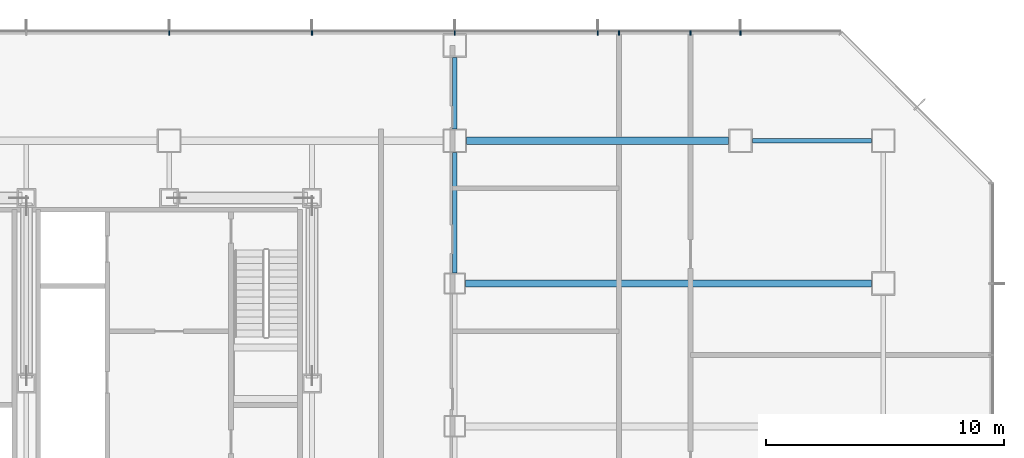
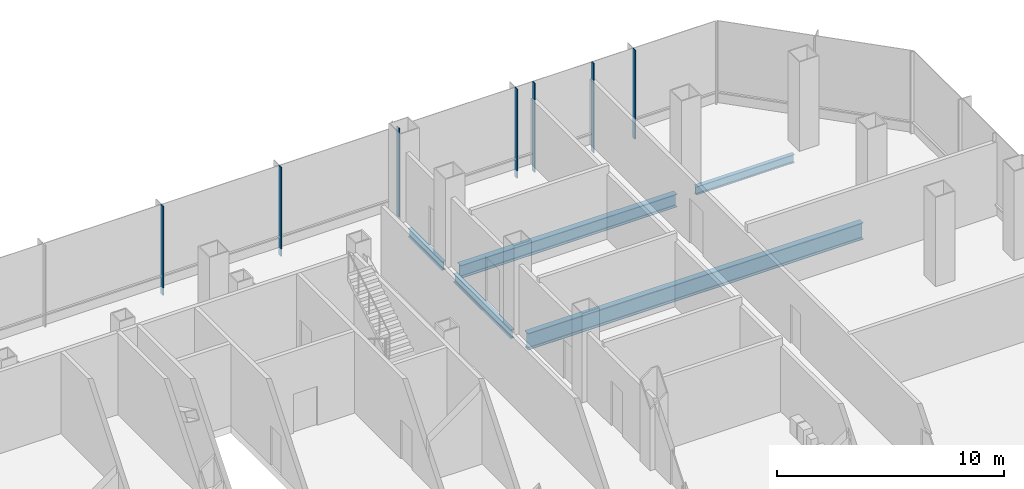
# One storey, part 16 of 33: 7 members, 5 beams, 1 element without a shape of its own.
"""IFC4 building model written with IfcOpenShell, lengths in metres."""

import ifcopenshell
import ifcopenshell.guid

model = None  # the IFC model being written
_history = None  # IfcOwnerHistory: only IFC2X3 demands one
_inside = {}  # id of a spatial element -> (the spatial element, [elements in it])
_under = {}  # id of a project, library or spatial element -> (it, [spatial elements below it])
_declared = {}  # id of a project -> (the project, [libraries it declares])
_typed = {}  # id of a type object -> (the type object, [elements of that type])
_made_of = {}  # id of a material, layer set ... -> (it, [elements and type objects made of it])


def new_model(schema):
    """Start an empty IFC model of exactly this schema.

    Asked for "IFC4X3", IfcOpenShell would pick the latest addendum, in which some entities
    have other attributes; the version numbers below select the first issue.
    IFC2X3 requires an IfcOwnerHistory on every rooted entity: one is made here for all.
    """
    global model, _history
    if schema == "IFC4X3":
        model = ifcopenshell.file(schema_version=(4, 3, 0, 0))
    else:
        model = ifcopenshell.file(schema=schema)
    _inside.clear()
    _under.clear()
    _declared.clear()
    _typed.clear()
    _made_of.clear()
    _history = None
    if model.schema == "IFC2X3":
        org = make("IfcOrganization", Name="unknown")
        user = make(
            "IfcPersonAndOrganization",
            ThePerson=make("IfcPerson", FamilyName="unknown"),
            TheOrganization=org,
        )
        app = make(
            "IfcApplication",
            ApplicationDeveloper=org,
            Version="unknown",
            ApplicationFullName="unknown",
            ApplicationIdentifier="unknown",
        )
        _history = make(
            "IfcOwnerHistory",
            OwningUser=user,
            OwningApplication=app,
            ChangeAction="ADDED",
            CreationDate=0,
        )
    return model


def make(cls, **values):
    """One entity of the class cls with the attributes given. An attribute that is None is left unset."""
    return model.create_entity(
        cls, **{name: value for name, value in values.items() if value is not None}
    )


def rooted(cls, **values):
    """An entity with a GlobalId (a new one), such as an element, a storey or a relation."""
    return make(cls, GlobalId=ifcopenshell.guid.new(), OwnerHistory=_history, **values)


def si_unit(unit_type, name, prefix=None):
    """IfcSIUnit, for example si_unit("LENGTHUNIT", "METRE", prefix="MILLI")."""
    return make("IfcSIUnit", UnitType=unit_type, Prefix=prefix, Name=name)


def assignment(units):
    """IfcUnitAssignment: the units of a project."""
    return None if units is None else make("IfcUnitAssignment", Units=units)


def point(xyz):
    """IfcCartesianPoint."""
    return None if xyz is None else make("IfcCartesianPoint", Coordinates=xyz)


def direction(xyz):
    """IfcDirection."""
    return None if xyz is None else make("IfcDirection", DirectionRatios=xyz)


def frame(location, z_axis=None, x_axis=None):
    """IfcAxis2Placement3D, a coordinate frame: its origin and axes. An axis left out is left unset."""
    return make(
        "IfcAxis2Placement3D",
        Location=point(location),
        Axis=direction(z_axis),
        RefDirection=direction(x_axis),
    )


def frame_2d(location, x_axis=None):
    """IfcAxis2Placement2D, a coordinate frame in the plane: its origin and x axis."""
    return make(
        "IfcAxis2Placement2D", Location=point(location), RefDirection=direction(x_axis)
    )


def origin():
    """The frame at (0, 0, 0) with its axes left unset."""
    return frame((0.0, 0.0, 0.0))


def origin_2d():
    """The frame at (0, 0) in the plane with its x axis left unset."""
    return frame_2d((0.0, 0.0))


def place(relative_to, where):
    """IfcLocalPlacement: puts the frame where relative to a parent placement (None: the world)."""
    return make(
        "IfcLocalPlacement", PlacementRelTo=relative_to, RelativePlacement=where
    )


def context(
    kind, dimensions, precision=None, world=None, true_north=None, identifier=None
):
    """IfcGeometricRepresentationContext, for example the 3D "Model" context."""
    return make(
        "IfcGeometricRepresentationContext",
        ContextIdentifier=identifier,
        ContextType=kind,
        CoordinateSpaceDimension=dimensions,
        Precision=precision,
        WorldCoordinateSystem=world,
        TrueNorth=true_north,
    )


def subcontext(parent, identifier, kind, view, scale=None):
    """IfcGeometricRepresentationSubContext, for example "Body" below "Model"."""
    return make(
        "IfcGeometricRepresentationSubContext",
        ContextIdentifier=identifier,
        ContextType=kind,
        ParentContext=parent,
        TargetScale=scale,
        TargetView=view,
    )


def project(units=None, contexts=None):
    """IfcProject with its units and contexts."""
    return rooted(
        "IfcProject",
        Name="project",
        RepresentationContexts=contexts,
        UnitsInContext=assignment(units),
    )


def spatial(cls, under=None, at=None, **own):
    """A site, building, storey or space (cls), placed at a placement, below another one or the project."""
    s = rooted(cls, ObjectPlacement=at, **own)
    if under is not None:
        _under.setdefault(under.id(), (under, []))[1].append(s)
    return s


def profile(cls, at=None, kind="AREA", **sizes):
    """A parametric profile (cls). Its sizes go by their IFC names, for example OverallWidth=200.0."""
    return make(cls, ProfileType=kind, Position=at, **sizes)


def rectangle(**sizes):
    """IfcRectangleProfileDef."""
    return profile("IfcRectangleProfileDef", **sizes)


def i_section(**sizes):
    """IfcIShapeProfileDef."""
    return profile("IfcIShapeProfileDef", **sizes)


def extrude(swept, where, along, depth):
    """IfcExtrudedAreaSolid: the profile swept, set in the frame where, extruded along a direction by depth."""
    return make(
        "IfcExtrudedAreaSolid",
        SweptArea=swept,
        Position=where,
        ExtrudedDirection=direction(along),
        Depth=depth,
    )


def shape(context_of_items, identifier, shape_type, items):
    """IfcShapeRepresentation: the items that make up one representation, for example the "Body"."""
    return make(
        "IfcShapeRepresentation",
        ContextOfItems=context_of_items,
        RepresentationIdentifier=identifier,
        RepresentationType=shape_type,
        Items=items,
    )


def material(Name=None, Category=None):
    """IfcMaterial."""
    return make("IfcMaterial", Name=Name, Category=Category)


def material_profile(
    of_material, cross_section, Name=None, Category=None, Priority=None
):
    """IfcMaterialProfile: a cross section and its material."""
    return make(
        "IfcMaterialProfile",
        Name=Name,
        Material=of_material,
        Profile=cross_section,
        Priority=Priority,
        Category=Category,
    )


def profile_set(profiles, Name=None, composite=None):
    """IfcMaterialProfileSet."""
    return make(
        "IfcMaterialProfileSet",
        Name=Name,
        MaterialProfiles=profiles,
        CompositeProfile=composite,
    )


def made_of(thing, what):
    """Note that an element or type object is made of a material, layer set ...; save() writes the relation."""
    if what is not None:
        _made_of.setdefault(what.id(), (what, []))[1].append(thing)
    return thing


def type_object(cls, material=None, **own):
    """A type object (cls), such as IfcWallType, which elements share."""
    return made_of(rooted(cls, **own), material)


def element(
    cls,
    number,
    at=None,
    inside=None,
    cuts=None,
    type_object=None,
    material=None,
    context=None,
    identifier="Body",
    shape_type=None,
    held_by="IfcProductDefinitionShape",
    body=None,
    shapes=None,
    **own,
):
    """One element of the class cls, such as IfcWall. Its Tag is "e" and its number.

    at: its placement. inside: the storey or other place that contains it. cuts: it is an
    opening in that element (IfcRelVoidsElement). A single representation is given by context,
    identifier, shape_type and body (its items); several are given by shapes. held_by: the class
    of the entity that holds the representations. save() writes the other relations.
    """
    e = rooted(cls, Tag="e%d" % number, ObjectPlacement=at, **own)
    if body is not None:
        shapes = [shape(context, identifier, shape_type, body)]
    if shapes is not None:
        e.Representation = make(held_by, Representations=shapes)
    if inside is not None:
        _inside.setdefault(inside.id(), (inside, []))[1].append(e)
    if cuts is not None:
        rooted(
            "IfcRelVoidsElement", RelatingBuildingElement=cuts, RelatedOpeningElement=e
        )
    if type_object is not None:
        _typed.setdefault(type_object.id(), (type_object, []))[1].append(e)
    return made_of(e, material)


def aggregate(whole, parts):
    """IfcRelAggregates: a whole, such as a stair, and the parts it consists of."""
    return rooted("IfcRelAggregates", RelatingObject=whole, RelatedObjects=parts)


def save(model, path):
    """Write the relations noted so far, then the file.

    IfcRelAggregates (storeys below a building ...), IfcRelContainedInSpatialStructure (elements
    in a storey), IfcRelDefinesByType, IfcRelAssociatesMaterial and IfcRelDeclares: one each for
    every whole, place, type object, material and project.
    """
    for whole, parts in _under.values():
        aggregate(whole, parts)
    for where, things in _inside.values():
        rooted(
            "IfcRelContainedInSpatialStructure",
            RelatedElements=things,
            RelatingStructure=where,
        )
    for kind, things in _typed.values():
        rooted("IfcRelDefinesByType", RelatedObjects=things, RelatingType=kind)
    for what, things in _made_of.values():
        rooted("IfcRelAssociatesMaterial", RelatedObjects=things, RelatingMaterial=what)
    for by, libraries in _declared.values():
        rooted("IfcRelDeclares", RelatingContext=by, RelatedDefinitions=libraries)
    model.write(path)


model = new_model("IFC4")

# Units and contexts
model_context = context("Model", 3, precision=1e-05, world=origin(), true_north=direction((0.0, 1.0)))
body_context = subcontext(model_context, "Body", "Model", "MODEL_VIEW")
ifc_project = project(units=[si_unit("LENGTHUNIT", "METRE"), si_unit("AREAUNIT", "SQUARE_METRE"), si_unit("VOLUMEUNIT", "CUBIC_METRE"), si_unit("PLANEANGLEUNIT", "RADIAN"), si_unit("MASSUNIT", "GRAM", prefix="KILO")], contexts=[model_context])

# Site, building, storey
site_placement = place(None, origin())
site = spatial("IfcSite", under=ifc_project, at=site_placement, CompositionType="ELEMENT")
building_placement = place(site_placement, origin())
building = spatial("IfcBuilding", under=site, at=building_placement, Name="Sorahane Residences", CompositionType="ELEMENT")
storey_placement = place(building_placement, frame((0.0, 0.0, 25.199951171875)))
storey = spatial("IfcBuildingStorey", under=building, at=storey_placement, Name="L03", CompositionType="ELEMENT", Elevation=25.199951171875)

# Curtain wall, members
ifc_material_1 = material(Name="Dark low-e glass and black anodised aluminium", Category="aluminium")
curtain_wall_type = type_object("IfcCurtainWallType", Name="Curtain wall CW-3 Podium unitised wall", PredefinedType="NOTDEFINED", material=ifc_material_1)
curtain_wall_placement = place(storey_placement, origin())
curtain_wall = element("IfcCurtainWall", 1, at=curtain_wall_placement, inside=storey, type_object=curtain_wall_type, Name="CW-3 curtain wall L03 N1", PredefinedType="NOTDEFINED")
ifc_material_2 = material(Name="Black anodised aluminium", Category="aluminium")
ifc_material_profile_1 = material_profile(ifc_material_2, rectangle(XDim=0.199951171875, YDim=0.050048828125, at=origin_2d()), Name="Curtain wall mullion CW-3 black anodised aluminium 50x200")
ifc_profile_set_1 = profile_set([ifc_material_profile_1], Name="Black anodised aluminium")
member_type = type_object("IfcMemberType", Name="Curtain wall mullion CW-3 black anodised aluminium 50x200", PredefinedType="MULLION", material=ifc_profile_set_1)
member_1_placement = place(storey_placement, frame((60.0, 52.52001953125, -0.39990234375), z_axis=(0.0, 0.0, 1.0), x_axis=(0.0, 1.0, 0.0)))
member_1 = element("IfcMember", 2, at=member_1_placement, type_object=member_type, Name="CW-3 mullion L03 N1.2", PredefinedType="MULLION", context=body_context, shape_type="SweptSolid", body=[
    extrude(rectangle(XDim=0.199951171875, YDim=0.050048828125, at=origin_2d()), origin(), (0.0, 0.0, 1.0), 4.800048828125),
])
member_2_placement = place(storey_placement, frame((57.89990234375, 52.52001953125, -0.39990234375), z_axis=(0.0, 0.0, 1.0), x_axis=(0.0, 1.0, 0.0)))
member_2 = element("IfcMember", 3, at=member_2_placement, type_object=member_type, Name="CW-3 mullion L03 N1.3", PredefinedType="MULLION", context=body_context, shape_type="SweptSolid", body=[
    extrude(rectangle(XDim=0.199951171875, YDim=0.050048828125, at=origin_2d()), origin(), (0.0, 0.0, 1.0), 4.800048828125),
])
member_3_placement = place(storey_placement, frame((54.89990234375, 52.52001953125, -0.39990234375), z_axis=(0.0, 0.0, 1.0), x_axis=(0.0, 1.0, 0.0)))
member_3 = element("IfcMember", 4, at=member_3_placement, type_object=member_type, Name="CW-3 mullion L03 N1.4", PredefinedType="MULLION", context=body_context, shape_type="SweptSolid", body=[
    extrude(rectangle(XDim=0.199951171875, YDim=0.050048828125, at=origin_2d()), origin(), (0.0, 0.0, 1.0), 4.800048828125),
])
member_4_placement = place(storey_placement, frame((54.0, 52.52001953125, -0.39990234375), z_axis=(0.0, 0.0, 1.0), x_axis=(0.0, 1.0, 0.0)))
member_4 = element("IfcMember", 5, at=member_4_placement, type_object=member_type, Name="CW-3 mullion L03 N1.5", PredefinedType="MULLION", context=body_context, shape_type="SweptSolid", body=[
    extrude(rectangle(XDim=0.199951171875, YDim=0.050048828125, at=origin_2d()), origin(), (0.0, 0.0, 1.0), 4.800048828125),
])
member_5_placement = place(storey_placement, frame((48.0, 52.52001953125, -0.39990234375), z_axis=(0.0, 0.0, 1.0), x_axis=(0.0, 1.0, 0.0)))
member_5 = element("IfcMember", 6, at=member_5_placement, type_object=member_type, Name="CW-3 mullion L03 N1.6", PredefinedType="MULLION", context=body_context, shape_type="SweptSolid", body=[
    extrude(rectangle(XDim=0.199951171875, YDim=0.050048828125, at=origin_2d()), origin(), (0.0, 0.0, 1.0), 4.800048828125),
])
member_6_placement = place(storey_placement, frame((42.0, 52.52001953125, -0.39990234375), z_axis=(0.0, 0.0, 1.0), x_axis=(0.0, 1.0, 0.0)))
member_6 = element("IfcMember", 7, at=member_6_placement, type_object=member_type, Name="CW-3 mullion L03 N1.7", PredefinedType="MULLION", context=body_context, shape_type="SweptSolid", body=[
    extrude(rectangle(XDim=0.199951171875, YDim=0.050048828125, at=origin_2d()), origin(), (0.0, 0.0, 1.0), 4.800048828125),
])
member_7_placement = place(storey_placement, frame((36.0, 52.52001953125, -0.39990234375), z_axis=(0.0, 0.0, 1.0), x_axis=(0.0, 1.0, 0.0)))
member_7 = element("IfcMember", 8, at=member_7_placement, type_object=member_type, Name="CW-3 mullion L03 N1.8", PredefinedType="MULLION", context=body_context, shape_type="SweptSolid", body=[
    extrude(rectangle(XDim=0.199951171875, YDim=0.050048828125, at=origin_2d()), origin(), (0.0, 0.0, 1.0), 4.800048828125),
])
aggregate(curtain_wall, [member_1, member_2, member_3, member_4, member_5, member_6, member_7])

# Beams
ifc_material_3 = material(Name="Steel Q355B", Category="steel")
ifc_material_profile_2 = material_profile(ifc_material_3, i_section(OverallWidth=0.199951171875, OverallDepth=0.449951171875, WebThickness=0.009033203125, FlangeThickness=0.013916015625, FilletRadius=0.02001953125, at=origin_2d()), Name="HN 450x200x9x14")
ifc_profile_set_2 = profile_set([ifc_material_profile_2], Name="Steel Q355B")
beam_type_1 = type_object("IfcBeamType", Name="Steel floor beam HN 450x200x9x14 Q355B", PredefinedType="BEAM", material=ifc_profile_set_2)
beam_1_placement = place(storey_placement, frame((60.5, 48.0, -0.625), z_axis=(1.0, 0.0, 0.0), x_axis=(0.0, 1.0, 0.0)))
element("IfcBeam", 9, at=beam_1_placement, inside=storey, type_object=beam_type_1, Name="Beam L03 023", PredefinedType="BEAM", context=body_context, shape_type="SweptSolid", body=[
    extrude(i_section(OverallWidth=0.199951171875, OverallDepth=0.449951171875, WebThickness=0.009033203125, FlangeThickness=0.013916015625, FilletRadius=0.02001953125, at=origin_2d()), origin(), (0.0, 0.0, 1.0), 5.0),
])
beam_2_placement = place(storey_placement, frame((48.0, 42.449951171875, -0.625), z_axis=(0.0, 1.0, 0.0), x_axis=(-1.0, 0.0, 0.0)))
element("IfcBeam", 10, at=beam_2_placement, inside=storey, type_object=beam_type_1, Name="Beam L03 068", PredefinedType="BEAM", context=body_context, shape_type="SweptSolid", body=[
    extrude(i_section(OverallWidth=0.199951171875, OverallDepth=0.449951171875, WebThickness=0.009033203125, FlangeThickness=0.013916015625, FilletRadius=0.02001953125, at=origin_2d()), origin(), (0.0, 0.0, 1.0), 5.050048828125),
])
beam_3_placement = place(storey_placement, frame((48.0, 48.5, -0.625), z_axis=(0.0, 1.0, 0.0), x_axis=(-1.0, 0.0, 0.0)))
element("IfcBeam", 11, at=beam_3_placement, inside=storey, type_object=beam_type_1, Name="Beam L03 069", PredefinedType="BEAM", context=body_context, shape_type="SweptSolid", body=[
    extrude(i_section(OverallWidth=0.199951171875, OverallDepth=0.449951171875, WebThickness=0.009033203125, FlangeThickness=0.013916015625, FilletRadius=0.02001953125, at=origin_2d()), origin(), (0.0, 0.0, 1.0), 3.0),
])
ifc_material_4 = material(Name="Steel Q355B", Category="steel")
ifc_material_profile_3 = material_profile(ifc_material_4, i_section(OverallWidth=0.300048828125, OverallDepth=0.699951171875, WebThickness=0.012939453125, FlangeThickness=0.02392578125, FilletRadius=0.028076171875, at=origin_2d()), Name="HN 700x300x13x24")
ifc_profile_set_3 = profile_set([ifc_material_profile_3], Name="Steel Q355B")
beam_type_2 = type_object("IfcBeamType", Name="Steel floor beam HN 700x300x13x24 Q355B", PredefinedType="BEAM", material=ifc_profile_set_3)
beam_4_placement = place(storey_placement, frame((48.5, 48.0, -0.75), z_axis=(1.0, 0.0, 0.0), x_axis=(0.0, 1.0, 0.0)))
element("IfcBeam", 12, at=beam_4_placement, inside=storey, type_object=beam_type_2, Name="Beam L03 022", PredefinedType="BEAM", context=body_context, shape_type="SweptSolid", body=[
    extrude(i_section(OverallWidth=0.300048828125, OverallDepth=0.699951171875, WebThickness=0.012939453125, FlangeThickness=0.02392578125, FilletRadius=0.028076171875, at=origin_2d()), origin(), (0.0, 0.0, 1.0), 11.0),
])
ifc_material_5 = material(Name="Steel Q355B", Category="steel")
ifc_material_profile_4 = material_profile(ifc_material_5, i_section(OverallWidth=0.300048828125, OverallDepth=0.89990234375, WebThickness=0.01611328125, FlangeThickness=0.028076171875, FilletRadius=0.028076171875, at=origin_2d()), Name="HN 900x300x16x28")
ifc_profile_set_4 = profile_set([ifc_material_profile_4], Name="Steel Q355B")
beam_type_3 = type_object("IfcBeamType", Name="Steel floor beam HN 900x300x16x28 Q355B", PredefinedType="BEAM", material=ifc_profile_set_4)
beam_5_placement = place(storey_placement, frame((48.4501953125, 42.0, -0.849853515625), z_axis=(1.0, 0.0, 0.0), x_axis=(0.0, 1.0, 0.0)))
element("IfcBeam", 13, at=beam_5_placement, inside=storey, type_object=beam_type_3, Name="Beam L03 086", PredefinedType="BEAM", context=body_context, shape_type="SweptSolid", body=[
    extrude(i_section(OverallWidth=0.300048828125, OverallDepth=0.89990234375, WebThickness=0.01611328125, FlangeThickness=0.028076171875, FilletRadius=0.028076171875, at=origin_2d()), origin(), (0.0, 0.0, 1.0), 17.049560546875),
])

save(model, "model.ifc")
